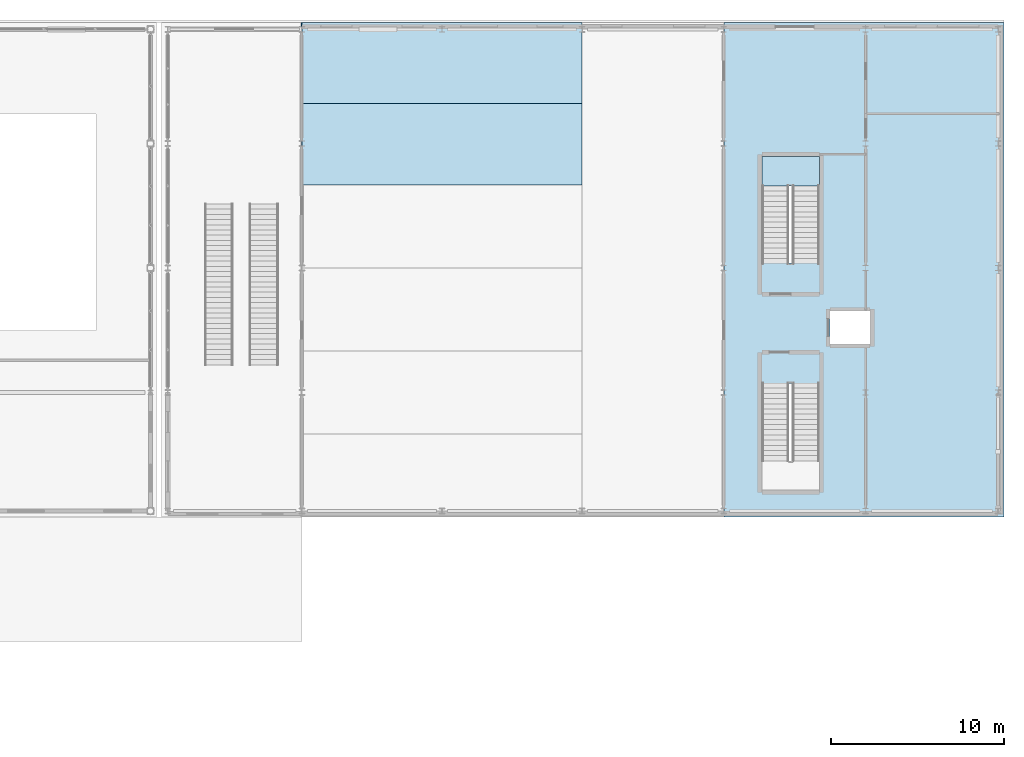
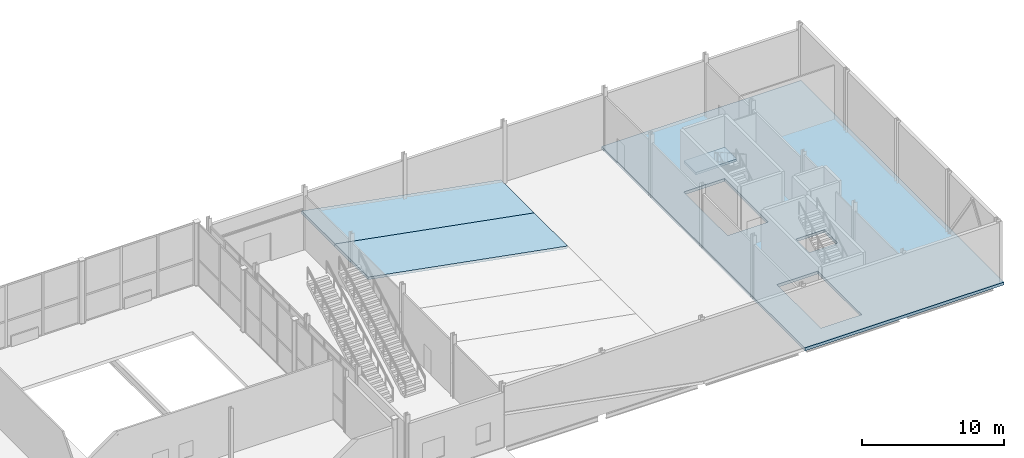
# One storey, part 59 of 83: 4 slabs, 1 element without a shape of its own.
"""IFC4 building model written with IfcOpenShell, lengths in metres."""

from ifc_helpers import new_model, si_unit, direction, frame, origin, place, context, subcontext, project, spatial, polyline, outline, extrude, material, layer, layer_set, type_object, element, aggregate, save


model = new_model("IFC4")

# Units and contexts
model_context = context("Model", 3, precision=1e-05, world=origin(), true_north=direction((0.0, 1.0)))
body_context = subcontext(model_context, "Body", "Model", "MODEL_VIEW")
ifc_project = project(units=[si_unit("LENGTHUNIT", "METRE"), si_unit("AREAUNIT", "SQUARE_METRE"), si_unit("VOLUMEUNIT", "CUBIC_METRE"), si_unit("PLANEANGLEUNIT", "RADIAN"), si_unit("MASSUNIT", "GRAM", prefix="KILO")], contexts=[model_context])

# Site, building, storey
site_placement = place(None, origin())
site = spatial("IfcSite", under=ifc_project, at=site_placement, CompositionType="ELEMENT")
building_placement = place(site_placement, origin())
building = spatial("IfcBuilding", under=site, at=building_placement, Name="Quillay Park Conservatory", CompositionType="ELEMENT")
storey_placement = place(building_placement, origin())
storey = spatial("IfcBuildingStorey", under=building, at=storey_placement, Name="L00", CompositionType="ELEMENT", Elevation=0.0)

# Slabs
ifc_material_1 = material(Name="Concrete C35/45 (NCh170 Concrete C35/45)", Category="concrete")
ifc_layer_1 = layer(ifc_material_1, 0.219970703125)
ifc_layer_set_1 = layer_set([ifc_layer_1], Name="AUDITORIUM RAKED FLOOR 220 (Concrete C35/45 (NCh170 Concrete C35/45))")
slab_type_1 = type_object("IfcSlabType", Name="AUDITORIUM RAKED FLOOR 220", PredefinedType="USERDEFINED", material=ifc_layer_set_1)
slab_1_placement = place(storey_placement, frame((123.60009765625, 104.39990234375, 3.0), z_axis=(0.182089790818, 0.0, 0.983281906718), x_axis=(0.983281906718, 0.0, -0.182089790818)))
element("IfcSlab", 1, at=slab_1_placement, inside=storey, type_object=slab_type_1, Name="Auditorium Raked Floor Bay 5", ObjectType="AUDITORIUM RAKED FLOOR", PredefinedType="USERDEFINED", context=body_context, shape_type="SweptSolid", body=[
    extrude(outline(polyline([(0.0, 0.0), (16.475388249480925, 0.0), (16.475388249480925, 4.700195312500001), (0.0, 4.700195312500001), (0.0, 0.0)])), origin(), (0.0, 0.0, -1.0), 0.219970703125),
])
slab_2_placement = place(storey_placement, frame((123.60009765625, 109.10009765625, 3.0), z_axis=(0.182089790818, 0.0, 0.983281906718), x_axis=(0.983281906718, 0.0, -0.182089790818)))
element("IfcSlab", 2, at=slab_2_placement, inside=storey, type_object=slab_type_1, Name="Auditorium Raked Floor Bay 6", ObjectType="AUDITORIUM RAKED FLOOR", PredefinedType="USERDEFINED", context=body_context, shape_type="SweptSolid", body=[
    extrude(outline(polyline([(0.0, 0.0), (16.475388249480925, 0.0), (16.475388249480925, 4.699951171874999), (0.0, 4.699951171874999), (0.0, 0.0)])), origin(), (0.0, 0.0, -1.0), 0.219970703125),
])

# Stair, slab
ifc_material_2 = material(Name="Concrete C35/45 (NCh170 Concrete C35/45)", Category="concrete")
stair_type = type_object("IfcStairType", Name="ENCLOSED DOG LEG STAIR 5400", PredefinedType="HALF_TURN_STAIR", material=ifc_material_2)
stair_placement = place(storey_placement, origin())
stair = element("IfcStair", 3, at=stair_placement, inside=storey, type_object=stair_type, Name="L00 Auditorium Exit Stair 2", PredefinedType="HALF_TURN_STAIR")
ifc_material_3 = material(Name="Concrete C35/45 (NCh170 Concrete C35/45)", Category="concrete")
ifc_layer_2 = layer(ifc_material_3, 0.199951171875)
ifc_layer_set_2 = layer_set([ifc_layer_2], Name="STAIR LANDING SLAB 200 (Concrete C35/45 (NCh170 Concrete C35/45))")
slab_type_2 = type_object("IfcSlabType", Name="STAIR LANDING SLAB 200", PredefinedType="LANDING", material=ifc_layer_set_2)
slab_3_placement = place(storey_placement, frame((0.0, 0.0, 2.5)))
slab_3 = element("IfcSlab", 4, at=slab_3_placement, type_object=slab_type_2, Name="ST-A2 landing 1", PredefinedType="LANDING", context=body_context, shape_type="SweptSolid", body=[
    extrude(outline(polyline([(153.52001953125, 104.35009765625), (153.52001953125, 106.050048828125), (150.199951171875, 106.050048828125), (150.199951171875, 104.35009765625), (153.52001953125, 104.35009765625)])), origin(), (0.0, 0.0, 1.0), 0.199951171875),
])
aggregate(stair, [slab_3])

# Slab
ifc_material_4 = material(Name="Concrete C35/45 (NCh170 Concrete C35/45)", Category="concrete")
ifc_layer_3 = layer(ifc_material_4, 0.25)
ifc_layer_set_3 = layer_set([ifc_layer_3], Name="SUSPENDED FLOOR SLAB 250 (Concrete C35/45 (NCh170 Concrete C35/45))")
slab_type_3 = type_object("IfcSlabType", Name="SUSPENDED FLOOR SLAB 250", PredefinedType="FLOOR", material=ifc_layer_set_3)
slab_4_placement = place(storey_placement, frame((0.0, 0.0, -0.25)))
element("IfcSlab", 5, at=slab_4_placement, inside=storey, type_object=slab_type_3, Name="L00 Auditorium Stage and Core Slab", PredefinedType="FLOOR", context=body_context, shape_type="SweptSolid", body=[
    extrude(outline(polyline([(148.0, 85.199951171875), (164.199951171875, 85.199951171875), (164.199951171875, 113.800048828125), (148.0, 113.800048828125), (148.0, 85.199951171875)]), holes=[polyline([(150.199951171875, 86.75), (153.52001953125, 86.75), (153.52001953125, 92.919921875), (150.199951171875, 92.919921875), (150.199951171875, 86.75)]), polyline([(150.199951171875, 99.8798828125), (153.52001953125, 99.8798828125), (153.52001953125, 106.050048828125), (150.199951171875, 106.050048828125), (150.199951171875, 99.8798828125)]), polyline([(154.14990234375, 95.199951171875), (156.449951171875, 95.199951171875), (156.449951171875, 97.10009765625), (154.14990234375, 97.10009765625), (154.14990234375, 95.199951171875)])]), origin(), (0.0, 0.0, 1.0), 0.25),
])

save(model, "model.ifc")
